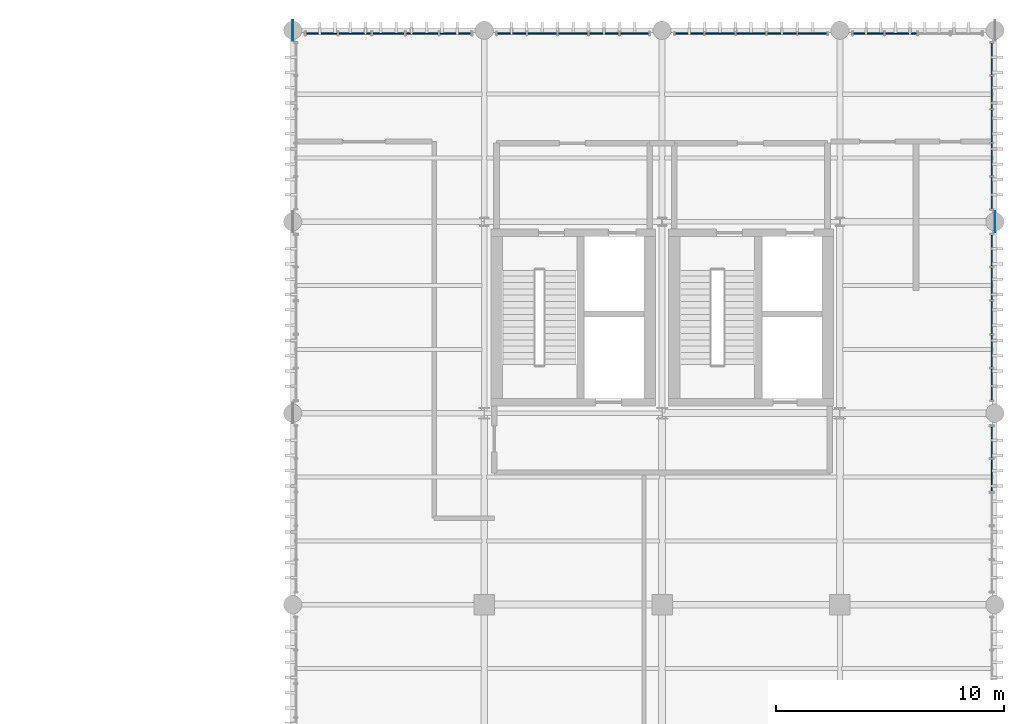
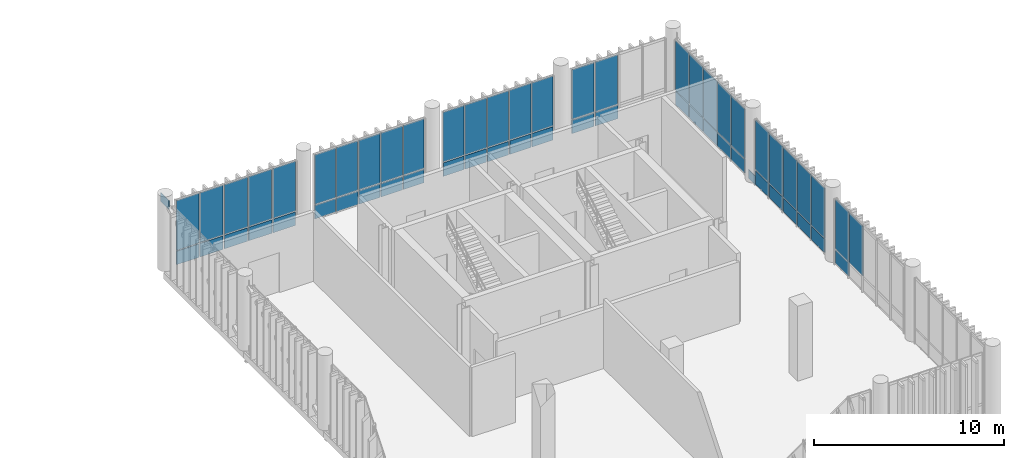
# One storey, part 87 of 109: 59 plates, 7 elements without a shape of their own.
"""IFC4 building model written with IfcOpenShell, lengths in metres."""

import ifcopenshell
import ifcopenshell.guid

model = None  # the IFC model being written
_history = None  # IfcOwnerHistory: only IFC2X3 demands one
_inside = {}  # id of a spatial element -> (the spatial element, [elements in it])
_under = {}  # id of a project, library or spatial element -> (it, [spatial elements below it])
_declared = {}  # id of a project -> (the project, [libraries it declares])
_typed = {}  # id of a type object -> (the type object, [elements of that type])
_made_of = {}  # id of a material, layer set ... -> (it, [elements and type objects made of it])


def new_model(schema):
    """Start an empty IFC model of exactly this schema.

    Asked for "IFC4X3", IfcOpenShell would pick the latest addendum, in which some entities
    have other attributes; the version numbers below select the first issue.
    IFC2X3 requires an IfcOwnerHistory on every rooted entity: one is made here for all.
    """
    global model, _history
    if schema == "IFC4X3":
        model = ifcopenshell.file(schema_version=(4, 3, 0, 0))
    else:
        model = ifcopenshell.file(schema=schema)
    _inside.clear()
    _under.clear()
    _declared.clear()
    _typed.clear()
    _made_of.clear()
    _history = None
    if model.schema == "IFC2X3":
        org = make("IfcOrganization", Name="unknown")
        user = make(
            "IfcPersonAndOrganization",
            ThePerson=make("IfcPerson", FamilyName="unknown"),
            TheOrganization=org,
        )
        app = make(
            "IfcApplication",
            ApplicationDeveloper=org,
            Version="unknown",
            ApplicationFullName="unknown",
            ApplicationIdentifier="unknown",
        )
        _history = make(
            "IfcOwnerHistory",
            OwningUser=user,
            OwningApplication=app,
            ChangeAction="ADDED",
            CreationDate=0,
        )
    return model


def make(cls, **values):
    """One entity of the class cls with the attributes given. An attribute that is None is left unset."""
    return model.create_entity(
        cls, **{name: value for name, value in values.items() if value is not None}
    )


def rooted(cls, **values):
    """An entity with a GlobalId (a new one), such as an element, a storey or a relation."""
    return make(cls, GlobalId=ifcopenshell.guid.new(), OwnerHistory=_history, **values)


def si_unit(unit_type, name, prefix=None):
    """IfcSIUnit, for example si_unit("LENGTHUNIT", "METRE", prefix="MILLI")."""
    return make("IfcSIUnit", UnitType=unit_type, Prefix=prefix, Name=name)


def assignment(units):
    """IfcUnitAssignment: the units of a project."""
    return None if units is None else make("IfcUnitAssignment", Units=units)


def point(xyz):
    """IfcCartesianPoint."""
    return None if xyz is None else make("IfcCartesianPoint", Coordinates=xyz)


def direction(xyz):
    """IfcDirection."""
    return None if xyz is None else make("IfcDirection", DirectionRatios=xyz)


def frame(location, z_axis=None, x_axis=None):
    """IfcAxis2Placement3D, a coordinate frame: its origin and axes. An axis left out is left unset."""
    return make(
        "IfcAxis2Placement3D",
        Location=point(location),
        Axis=direction(z_axis),
        RefDirection=direction(x_axis),
    )


def frame_2d(location, x_axis=None):
    """IfcAxis2Placement2D, a coordinate frame in the plane: its origin and x axis."""
    return make(
        "IfcAxis2Placement2D", Location=point(location), RefDirection=direction(x_axis)
    )


def origin_with_axes():
    """The frame at (0, 0, 0) with the z axis (0, 0, 1) and the x axis (1, 0, 0) written out."""
    return frame((0.0, 0.0, 0.0), z_axis=(0.0, 0.0, 1.0), x_axis=(1.0, 0.0, 0.0))


def origin_2d_with_axis():
    """The frame at (0, 0) in the plane with the x axis (1, 0) written out."""
    return frame_2d((0.0, 0.0), x_axis=(1.0, 0.0))


def place(relative_to, where):
    """IfcLocalPlacement: puts the frame where relative to a parent placement (None: the world)."""
    return make(
        "IfcLocalPlacement", PlacementRelTo=relative_to, RelativePlacement=where
    )


def context(
    kind, dimensions, precision=None, world=None, true_north=None, identifier=None
):
    """IfcGeometricRepresentationContext, for example the 3D "Model" context."""
    return make(
        "IfcGeometricRepresentationContext",
        ContextIdentifier=identifier,
        ContextType=kind,
        CoordinateSpaceDimension=dimensions,
        Precision=precision,
        WorldCoordinateSystem=world,
        TrueNorth=true_north,
    )


def subcontext(parent, identifier, kind, view, scale=None):
    """IfcGeometricRepresentationSubContext, for example "Body" below "Model"."""
    return make(
        "IfcGeometricRepresentationSubContext",
        ContextIdentifier=identifier,
        ContextType=kind,
        ParentContext=parent,
        TargetScale=scale,
        TargetView=view,
    )


def project(units=None, contexts=None):
    """IfcProject with its units and contexts."""
    return rooted(
        "IfcProject",
        Name="project",
        RepresentationContexts=contexts,
        UnitsInContext=assignment(units),
    )


def spatial(cls, under=None, at=None, **own):
    """A site, building, storey or space (cls), placed at a placement, below another one or the project."""
    s = rooted(cls, ObjectPlacement=at, **own)
    if under is not None:
        _under.setdefault(under.id(), (under, []))[1].append(s)
    return s


def profile(cls, at=None, kind="AREA", **sizes):
    """A parametric profile (cls). Its sizes go by their IFC names, for example OverallWidth=200.0."""
    return make(cls, ProfileType=kind, Position=at, **sizes)


def rectangle(**sizes):
    """IfcRectangleProfileDef."""
    return profile("IfcRectangleProfileDef", **sizes)


def extrude(swept, where, along, depth):
    """IfcExtrudedAreaSolid: the profile swept, set in the frame where, extruded along a direction by depth."""
    return make(
        "IfcExtrudedAreaSolid",
        SweptArea=swept,
        Position=where,
        ExtrudedDirection=direction(along),
        Depth=depth,
    )


def shape(context_of_items, identifier, shape_type, items):
    """IfcShapeRepresentation: the items that make up one representation, for example the "Body"."""
    return make(
        "IfcShapeRepresentation",
        ContextOfItems=context_of_items,
        RepresentationIdentifier=identifier,
        RepresentationType=shape_type,
        Items=items,
    )


def material(Name=None, Category=None):
    """IfcMaterial."""
    return make("IfcMaterial", Name=Name, Category=Category)


def layer(
    of_material, thickness, ventilated=None, Name=None, Category=None, Priority=None
):
    """IfcMaterialLayer: one layer of a wall or slab, of a material (None: an air gap)."""
    return make(
        "IfcMaterialLayer",
        Material=of_material,
        LayerThickness=thickness,
        IsVentilated=ventilated,
        Name=Name,
        Category=Category,
        Priority=Priority,
    )


def layer_set(layers, Name=None):
    """IfcMaterialLayerSet."""
    return make("IfcMaterialLayerSet", MaterialLayers=layers, LayerSetName=Name)


def made_of(thing, what):
    """Note that an element or type object is made of a material, layer set ...; save() writes the relation."""
    if what is not None:
        _made_of.setdefault(what.id(), (what, []))[1].append(thing)
    return thing


def type_object(cls, material=None, **own):
    """A type object (cls), such as IfcWallType, which elements share."""
    return made_of(rooted(cls, **own), material)


def element(
    cls,
    number,
    at=None,
    inside=None,
    cuts=None,
    type_object=None,
    material=None,
    context=None,
    identifier="Body",
    shape_type=None,
    held_by="IfcProductDefinitionShape",
    body=None,
    shapes=None,
    **own,
):
    """One element of the class cls, such as IfcWall. Its Tag is "e" and its number.

    at: its placement. inside: the storey or other place that contains it. cuts: it is an
    opening in that element (IfcRelVoidsElement). A single representation is given by context,
    identifier, shape_type and body (its items); several are given by shapes. held_by: the class
    of the entity that holds the representations. save() writes the other relations.
    """
    e = rooted(cls, Tag="e%d" % number, ObjectPlacement=at, **own)
    if body is not None:
        shapes = [shape(context, identifier, shape_type, body)]
    if shapes is not None:
        e.Representation = make(held_by, Representations=shapes)
    if inside is not None:
        _inside.setdefault(inside.id(), (inside, []))[1].append(e)
    if cuts is not None:
        rooted(
            "IfcRelVoidsElement", RelatingBuildingElement=cuts, RelatedOpeningElement=e
        )
    if type_object is not None:
        _typed.setdefault(type_object.id(), (type_object, []))[1].append(e)
    return made_of(e, material)


def aggregate(whole, parts):
    """IfcRelAggregates: a whole, such as a stair, and the parts it consists of."""
    return rooted("IfcRelAggregates", RelatingObject=whole, RelatedObjects=parts)


def save(model, path):
    """Write the relations noted so far, then the file.

    IfcRelAggregates (storeys below a building ...), IfcRelContainedInSpatialStructure (elements
    in a storey), IfcRelDefinesByType, IfcRelAssociatesMaterial and IfcRelDeclares: one each for
    every whole, place, type object, material and project.
    """
    for whole, parts in _under.values():
        aggregate(whole, parts)
    for where, things in _inside.values():
        rooted(
            "IfcRelContainedInSpatialStructure",
            RelatedElements=things,
            RelatingStructure=where,
        )
    for kind, things in _typed.values():
        rooted("IfcRelDefinesByType", RelatedObjects=things, RelatingType=kind)
    for what, things in _made_of.values():
        rooted("IfcRelAssociatesMaterial", RelatedObjects=things, RelatingMaterial=what)
    for by, libraries in _declared.values():
        rooted("IfcRelDeclares", RelatingContext=by, RelatedDefinitions=libraries)
    model.write(path)


model = new_model("IFC4")

# Units and contexts
model_context = context("Model", 3, precision=1e-05, world=origin_with_axes(), true_north=direction((0.0, 1.0)))
body_context = subcontext(model_context, "Body", "Model", "MODEL_VIEW")
ifc_project = project(units=[si_unit("LENGTHUNIT", "METRE"), si_unit("AREAUNIT", "SQUARE_METRE"), si_unit("VOLUMEUNIT", "CUBIC_METRE"), si_unit("PLANEANGLEUNIT", "RADIAN"), si_unit("MASSUNIT", "GRAM", prefix="KILO"), si_unit("THERMODYNAMICTEMPERATUREUNIT", "KELVIN")], contexts=[model_context])

# Site, building, storey
site_placement = place(None, origin_with_axes())
site = spatial("IfcSite", under=ifc_project, at=site_placement, CompositionType="ELEMENT")
building_placement = place(site_placement, origin_with_axes())
building = spatial("IfcBuilding", under=site, at=building_placement, Name="Montbau Bow Law Courts", CompositionType="ELEMENT")
storey_placement = place(building_placement, frame((0.0, 0.0, 10.8), z_axis=(0.0, 0.0, 1.0), x_axis=(1.0, 0.0, 0.0)))
storey = spatial("IfcBuildingStorey", under=building, at=storey_placement, Name="L02", CompositionType="ELEMENT", Elevation=10.8)

# Curtain wall, plates
ifc_material_1 = material(Name="Thermally Broken Extruded Aluminium AA 6063-T6", Category="aluminium")
curtain_wall_type = type_object("IfcCurtainWallType", Name="CW-SLT-01", PredefinedType="NOTDEFINED", material=ifc_material_1)
curtain_wall_1_placement = place(None, frame((139.115, 103.06, 10.8), z_axis=(0.0, 0.0, 1.0), x_axis=(1.0, 0.0, 0.0)))
curtain_wall_1 = element("IfcCurtainWall", 1, at=curtain_wall_1_placement, inside=storey, type_object=curtain_wall_type, Name="CW-L02-297:cw_0297", PredefinedType="NOTDEFINED")
ifc_material_2 = material(Name="Triple-Glazed Low-E Argon Insulating Glass Unit", Category="glass")
ifc_layer_1 = layer(ifc_material_2, 0.044, Name="Curtain Panel", Category="glass")
ifc_layer_set_1 = layer_set([ifc_layer_1], Name="Triple-Glazed Low-E Argon Insulating Glass Unit")
plate_type_1 = type_object("IfcPlateType", Name="PL-CWP-01", PredefinedType="CURTAIN_PANEL", material=ifc_layer_set_1)
plate_1_placement = place(None, frame((139.191, 103.06, 11.78), z_axis=(0.0, -1.0, 0.0), x_axis=(1.0, 0.0, 0.0)))
plate_1 = element("IfcPlate", 2, at=plate_1_placement, type_object=plate_type_1, Name="CW-L02-297-P01-2:cw_0297_P01_2", PredefinedType="CURTAIN_PANEL", context=body_context, shape_type="SweptSolid", body=[
    extrude(rectangle(XDim=1.358, YDim=3.183, at=frame_2d((0.679, 1.5915), x_axis=(1.0, 0.0))), frame((0.0, 0.0, -0.022), z_axis=(0.0, 0.0, 1.0), x_axis=(1.0, 0.0, 0.0)), (0.0, 0.0, 1.0), 0.044),
])
plate_2_placement = place(None, frame((140.629, 103.06, 11.78), z_axis=(0.0, -1.0, 0.0), x_axis=(1.0, 0.0, 0.0)))
plate_2 = element("IfcPlate", 3, at=plate_2_placement, type_object=plate_type_1, Name="CW-L02-297-P02-2:cw_0297_P02_2", PredefinedType="CURTAIN_PANEL", context=body_context, shape_type="SweptSolid", body=[
    extrude(rectangle(XDim=1.395, YDim=3.183, at=frame_2d((0.6975, 1.5915), x_axis=(1.0, 0.0))), frame((0.0, 0.0, -0.022), z_axis=(0.0, 0.0, 1.0), x_axis=(1.0, 0.0, 0.0)), (0.0, 0.0, 1.0), 0.044),
])
plate_3_placement = place(None, frame((142.102, 103.06, 11.78), z_axis=(0.0, -1.0, 0.0), x_axis=(1.0, 0.0, 0.0)))
plate_3 = element("IfcPlate", 4, at=plate_3_placement, type_object=plate_type_1, Name="CW-L02-297-P03-2:cw_0297_P03_2", PredefinedType="CURTAIN_PANEL", context=body_context, shape_type="SweptSolid", body=[
    extrude(rectangle(XDim=1.396, YDim=3.183, at=frame_2d((0.698, 1.5915), x_axis=(1.0, 0.0))), frame((0.0, 0.0, -0.022), z_axis=(0.0, 0.0, 1.0), x_axis=(1.0, 0.0, 0.0)), (0.0, 0.0, 1.0), 0.044),
])
plate_4_placement = place(None, frame((143.576, 103.06, 11.78), z_axis=(0.0, -1.0, 0.0), x_axis=(1.0, 0.0, 0.0)))
plate_4 = element("IfcPlate", 5, at=plate_4_placement, type_object=plate_type_1, Name="CW-L02-297-P04-2:cw_0297_P04_2", PredefinedType="CURTAIN_PANEL", context=body_context, shape_type="SweptSolid", body=[
    extrude(rectangle(XDim=1.396, YDim=3.183, at=frame_2d((0.698, 1.5915), x_axis=(1.0, 0.0))), frame((0.0, 0.0, -0.022), z_axis=(0.0, 0.0, 1.0), x_axis=(1.0, 0.0, 0.0)), (0.0, 0.0, 1.0), 0.044),
])
plate_5_placement = place(None, frame((145.05, 103.06, 11.78), z_axis=(0.0, -1.0, 0.0), x_axis=(1.0, 0.0, 0.0)))
plate_5 = element("IfcPlate", 6, at=plate_5_placement, type_object=plate_type_1, Name="CW-L02-297-P05-2:cw_0297_P05_2", PredefinedType="CURTAIN_PANEL", context=body_context, shape_type="SweptSolid", body=[
    extrude(rectangle(XDim=1.359, YDim=3.183, at=frame_2d((0.6795, 1.5915), x_axis=(1.0, 0.0))), frame((0.0, 0.0, -0.022), z_axis=(0.0, 0.0, 1.0), x_axis=(1.0, 0.0, 0.0)), (0.0, 0.0, 1.0), 0.044),
])

curtain_wall_2_placement = place(None, frame((147.515, 103.06, 10.8), z_axis=(0.0, 0.0, 1.0), x_axis=(1.0, 0.0, 0.0)))
curtain_wall_2 = element("IfcCurtainWall", 7, at=curtain_wall_2_placement, inside=storey, type_object=curtain_wall_type, Name="CW-L02-298:cw_0298", PredefinedType="NOTDEFINED")
plate_6_placement = place(None, frame((147.583, 103.06, 11.782), z_axis=(0.0, -1.0, 0.0), x_axis=(1.0, 0.0, 0.0)))
plate_6 = element("IfcPlate", 8, at=plate_6_placement, type_object=plate_type_1, Name="CW-L02-298-P01-2:cw_0298_P01_2", PredefinedType="CURTAIN_PANEL", context=body_context, shape_type="SweptSolid", body=[
    extrude(rectangle(XDim=1.252, YDim=3.176, at=frame_2d((0.626, 1.588), x_axis=(1.0, 0.0))), frame((0.0, 0.0, -0.022), z_axis=(0.0, 0.0, 1.0), x_axis=(1.0, 0.0, 0.0)), (0.0, 0.0, 1.0), 0.044),
])
plate_7_placement = place(None, frame((148.904, 103.06, 11.782), z_axis=(0.0, -1.0, 0.0), x_axis=(1.0, 0.0, 0.0)))
plate_7 = element("IfcPlate", 9, at=plate_7_placement, type_object=plate_type_1, Name="CW-L02-298-P02-2:cw_0298_P02_2", PredefinedType="CURTAIN_PANEL", context=body_context, shape_type="SweptSolid", body=[
    extrude(rectangle(XDim=1.285, YDim=3.176, at=frame_2d((0.6425, 1.588), x_axis=(1.0, 0.0))), frame((0.0, 0.0, -0.022), z_axis=(0.0, 0.0, 1.0), x_axis=(1.0, 0.0, 0.0)), (0.0, 0.0, 1.0), 0.044),
])
plate_8_placement = place(None, frame((150.258, 103.06, 11.782), z_axis=(0.0, -1.0, 0.0), x_axis=(1.0, 0.0, 0.0)))
plate_8 = element("IfcPlate", 10, at=plate_8_placement, type_object=plate_type_1, Name="CW-L02-298-P03-2:cw_0298_P03_2", PredefinedType="CURTAIN_PANEL", context=body_context, shape_type="SweptSolid", body=[
    extrude(rectangle(XDim=1.285, YDim=3.176, at=frame_2d((0.6425, 1.588), x_axis=(1.0, 0.0))), frame((0.0, 0.0, -0.022), z_axis=(0.0, 0.0, 1.0), x_axis=(1.0, 0.0, 0.0)), (0.0, 0.0, 1.0), 0.044),
])
plate_9_placement = place(None, frame((151.611, 103.06, 11.782), z_axis=(0.0, -1.0, 0.0), x_axis=(1.0, 0.0, 0.0)))
plate_9 = element("IfcPlate", 11, at=plate_9_placement, type_object=plate_type_1, Name="CW-L02-298-P04-2:cw_0298_P04_2", PredefinedType="CURTAIN_PANEL", context=body_context, shape_type="SweptSolid", body=[
    extrude(rectangle(XDim=1.286, YDim=3.176, at=frame_2d((0.643, 1.588), x_axis=(1.0, 0.0))), frame((0.0, 0.0, -0.022), z_axis=(0.0, 0.0, 1.0), x_axis=(1.0, 0.0, 0.0)), (0.0, 0.0, 1.0), 0.044),
])
plate_10_placement = place(None, frame((152.965, 103.06, 11.782), z_axis=(0.0, -1.0, 0.0), x_axis=(1.0, 0.0, 0.0)))
plate_10 = element("IfcPlate", 12, at=plate_10_placement, type_object=plate_type_1, Name="CW-L02-298-P05-2:cw_0298_P05_2", PredefinedType="CURTAIN_PANEL", context=body_context, shape_type="SweptSolid", body=[
    extrude(rectangle(XDim=1.254, YDim=3.176, at=frame_2d((0.627, 1.588), x_axis=(1.0, 0.0))), frame((0.0, 0.0, -0.022), z_axis=(0.0, 0.0, 1.0), x_axis=(1.0, 0.0, 0.0)), (0.0, 0.0, 1.0), 0.044),
])

curtain_wall_3_placement = place(None, frame((155.315, 103.06, 10.8), z_axis=(0.0, 0.0, 1.0), x_axis=(1.0, 0.0, 0.0)))
curtain_wall_3 = element("IfcCurtainWall", 13, at=curtain_wall_3_placement, inside=storey, type_object=curtain_wall_type, Name="CW-L02-299:cw_0299", PredefinedType="NOTDEFINED")
plate_11_placement = place(None, frame((155.377, 103.06, 11.78), z_axis=(0.0, -1.0, 0.0), x_axis=(1.0, 0.0, 0.0)))
plate_11 = element("IfcPlate", 14, at=plate_11_placement, type_object=plate_type_1, Name="CW-L02-299-P01-2:cw_0299_P01_2", PredefinedType="CURTAIN_PANEL", context=body_context, shape_type="SweptSolid", body=[
    extrude(rectangle(XDim=1.26, YDim=3.183, at=frame_2d((0.63, 1.5915), x_axis=(1.0, 0.0))), frame((0.0, 0.0, -0.022), z_axis=(0.0, 0.0, 1.0), x_axis=(1.0, 0.0, 0.0)), (0.0, 0.0, 1.0), 0.044),
])
plate_12_placement = place(None, frame((156.701, 103.06, 11.78), z_axis=(0.0, -1.0, 0.0), x_axis=(1.0, 0.0, 0.0)))
plate_12 = element("IfcPlate", 15, at=plate_12_placement, type_object=plate_type_1, Name="CW-L02-299-P02-2:cw_0299_P02_2", PredefinedType="CURTAIN_PANEL", context=body_context, shape_type="SweptSolid", body=[
    extrude(rectangle(XDim=1.29, YDim=3.183, at=frame_2d((0.645, 1.5915), x_axis=(1.0, 0.0))), frame((0.0, 0.0, -0.022), z_axis=(0.0, 0.0, 1.0), x_axis=(1.0, 0.0, 0.0)), (0.0, 0.0, 1.0), 0.044),
])
plate_13_placement = place(None, frame((158.055, 103.06, 11.78), z_axis=(0.0, -1.0, 0.0), x_axis=(1.0, 0.0, 0.0)))
plate_13 = element("IfcPlate", 16, at=plate_13_placement, type_object=plate_type_1, Name="CW-L02-299-P03-2:cw_0299_P03_2", PredefinedType="CURTAIN_PANEL", context=body_context, shape_type="SweptSolid", body=[
    extrude(rectangle(XDim=1.29, YDim=3.183, at=frame_2d((0.645, 1.5915), x_axis=(1.0, 0.0))), frame((0.0, 0.0, -0.022), z_axis=(0.0, 0.0, 1.0), x_axis=(1.0, 0.0, 0.0)), (0.0, 0.0, 1.0), 0.044),
])
plate_14_placement = place(None, frame((159.409, 103.06, 11.78), z_axis=(0.0, -1.0, 0.0), x_axis=(1.0, 0.0, 0.0)))
plate_14 = element("IfcPlate", 17, at=plate_14_placement, type_object=plate_type_1, Name="CW-L02-299-P04-2:cw_0299_P04_2", PredefinedType="CURTAIN_PANEL", context=body_context, shape_type="SweptSolid", body=[
    extrude(rectangle(XDim=1.29, YDim=3.183, at=frame_2d((0.645, 1.5915), x_axis=(1.0, 0.0))), frame((0.0, 0.0, -0.022), z_axis=(0.0, 0.0, 1.0), x_axis=(1.0, 0.0, 0.0)), (0.0, 0.0, 1.0), 0.044),
])
plate_15_placement = place(None, frame((160.763, 103.06, 11.78), z_axis=(0.0, -1.0, 0.0), x_axis=(1.0, 0.0, 0.0)))
plate_15 = element("IfcPlate", 18, at=plate_15_placement, type_object=plate_type_1, Name="CW-L02-299-P05-2:cw_0299_P05_2", PredefinedType="CURTAIN_PANEL", context=body_context, shape_type="SweptSolid", body=[
    extrude(rectangle(XDim=1.26, YDim=3.183, at=frame_2d((0.63, 1.5915), x_axis=(1.0, 0.0))), frame((0.0, 0.0, -0.022), z_axis=(0.0, 0.0, 1.0), x_axis=(1.0, 0.0, 0.0)), (0.0, 0.0, 1.0), 0.044),
])

curtain_wall_4_placement = place(None, frame((163.115, 103.06, 10.8), z_axis=(0.0, 0.0, 1.0), x_axis=(1.0, 0.0, 0.0)))
curtain_wall_4 = element("IfcCurtainWall", 19, at=curtain_wall_4_placement, inside=storey, type_object=curtain_wall_type, Name="CW-L02-300:cw_0300", PredefinedType="NOTDEFINED")
plate_16_placement = place(None, frame((163.191, 103.06, 11.782), z_axis=(0.0, -1.0, 0.0), x_axis=(1.0, 0.0, 0.0)))
plate_16 = element("IfcPlate", 20, at=plate_16_placement, type_object=plate_type_1, Name="CW-L02-300-P01-2:cw_0300_P01_2", PredefinedType="CURTAIN_PANEL", context=body_context, shape_type="SweptSolid", body=[
    extrude(rectangle(XDim=1.326, YDim=3.176, at=frame_2d((0.663, 1.588), x_axis=(1.0, 0.0))), frame((0.0, 0.0, -0.022), z_axis=(0.0, 0.0, 1.0), x_axis=(1.0, 0.0, 0.0)), (0.0, 0.0, 1.0), 0.044),
])
plate_17_placement = place(None, frame((164.597, 103.06, 11.782), z_axis=(0.0, -1.0, 0.0), x_axis=(1.0, 0.0, 0.0)))
plate_17 = element("IfcPlate", 21, at=plate_17_placement, type_object=plate_type_1, Name="CW-L02-300-P02-2:cw_0300_P02_2", PredefinedType="CURTAIN_PANEL", context=body_context, shape_type="SweptSolid", body=[
    extrude(rectangle(XDim=1.363, YDim=3.176, at=frame_2d((0.6815, 1.588), x_axis=(1.0, 0.0))), frame((0.0, 0.0, -0.022), z_axis=(0.0, 0.0, 1.0), x_axis=(1.0, 0.0, 0.0)), (0.0, 0.0, 1.0), 0.044),
])

curtain_wall_5_placement = place(None, frame((169.26, 78.515, 10.8), z_axis=(0.0, 0.0, 1.0), x_axis=(1.0, 0.0, 0.0)))
curtain_wall_5 = element("IfcCurtainWall", 22, at=curtain_wall_5_placement, inside=storey, type_object=curtain_wall_type, Name="CW-L02-306:cw_0306", PredefinedType="NOTDEFINED")
plate_18_placement = place(None, frame((169.26, 82.976, 11.782), z_axis=(1.0, 0.0, 0.0), x_axis=(0.0, 1.0, 0.0)))
plate_18 = element("IfcPlate", 23, at=plate_18_placement, type_object=plate_type_1, Name="CW-L02-306-P04-2:cw_0306_P04_2", PredefinedType="CURTAIN_PANEL", context=body_context, shape_type="SweptSolid", body=[
    extrude(rectangle(XDim=1.396, YDim=3.176, at=frame_2d((0.698, 1.588), x_axis=(1.0, 0.0))), frame((0.0, 0.0, -0.022), z_axis=(0.0, 0.0, 1.0), x_axis=(1.0, 0.0, 0.0)), (0.0, 0.0, 1.0), 0.044),
])
plate_19_placement = place(None, frame((169.26, 84.45, 11.782), z_axis=(1.0, 0.0, 0.0), x_axis=(0.0, 1.0, 0.0)))
plate_19 = element("IfcPlate", 24, at=plate_19_placement, type_object=plate_type_1, Name="CW-L02-306-P05-2:cw_0306_P05_2", PredefinedType="CURTAIN_PANEL", context=body_context, shape_type="SweptSolid", body=[
    extrude(rectangle(XDim=1.359, YDim=3.176, at=frame_2d((0.6795, 1.588), x_axis=(1.0, 0.0))), frame((0.0, 0.0, -0.022), z_axis=(0.0, 0.0, 1.0), x_axis=(1.0, 0.0, 0.0)), (0.0, 0.0, 1.0), 0.044),
])

curtain_wall_6_placement = place(None, frame((169.26, 86.915, 10.8), z_axis=(0.0, 0.0, 1.0), x_axis=(1.0, 0.0, 0.0)))
curtain_wall_6 = element("IfcCurtainWall", 25, at=curtain_wall_6_placement, inside=storey, type_object=curtain_wall_type, Name="CW-L02-307:cw_0307", PredefinedType="NOTDEFINED")
plate_20_placement = place(None, frame((169.26, 86.983, 11.78), z_axis=(1.0, 0.0, 0.0), x_axis=(0.0, 1.0, 0.0)))
plate_20 = element("IfcPlate", 26, at=plate_20_placement, type_object=plate_type_1, Name="CW-L02-307-P01-2:cw_0307_P01_2", PredefinedType="CURTAIN_PANEL", context=body_context, shape_type="SweptSolid", body=[
    extrude(rectangle(XDim=1.372, YDim=3.183, at=frame_2d((0.686, 1.5915), x_axis=(1.0, 0.0))), frame((0.0, 0.0, -0.022), z_axis=(0.0, 0.0, 1.0), x_axis=(1.0, 0.0, 0.0)), (0.0, 0.0, 1.0), 0.044),
])
plate_21_placement = place(None, frame((169.26, 88.423, 11.78), z_axis=(1.0, 0.0, 0.0), x_axis=(0.0, 1.0, 0.0)))
plate_21 = element("IfcPlate", 27, at=plate_21_placement, type_object=plate_type_1, Name="CW-L02-307-P02-2:cw_0307_P02_2", PredefinedType="CURTAIN_PANEL", context=body_context, shape_type="SweptSolid", body=[
    extrude(rectangle(XDim=1.405, YDim=3.183, at=frame_2d((0.7025, 1.5915), x_axis=(1.0, 0.0))), frame((0.0, 0.0, -0.022), z_axis=(0.0, 0.0, 1.0), x_axis=(1.0, 0.0, 0.0)), (0.0, 0.0, 1.0), 0.044),
])
plate_22_placement = place(None, frame((169.26, 89.897, 11.78), z_axis=(1.0, 0.0, 0.0), x_axis=(0.0, 1.0, 0.0)))
plate_22 = element("IfcPlate", 28, at=plate_22_placement, type_object=plate_type_1, Name="CW-L02-307-P03-2:cw_0307_P03_2", PredefinedType="CURTAIN_PANEL", context=body_context, shape_type="SweptSolid", body=[
    extrude(rectangle(XDim=1.406, YDim=3.183, at=frame_2d((0.703, 1.5915), x_axis=(1.0, 0.0))), frame((0.0, 0.0, -0.022), z_axis=(0.0, 0.0, 1.0), x_axis=(1.0, 0.0, 0.0)), (0.0, 0.0, 1.0), 0.044),
])
plate_23_placement = place(None, frame((169.26, 91.371, 11.78), z_axis=(1.0, 0.0, 0.0), x_axis=(0.0, 1.0, 0.0)))
plate_23 = element("IfcPlate", 29, at=plate_23_placement, type_object=plate_type_1, Name="CW-L02-307-P04-2:cw_0307_P04_2", PredefinedType="CURTAIN_PANEL", context=body_context, shape_type="SweptSolid", body=[
    extrude(rectangle(XDim=1.406, YDim=3.183, at=frame_2d((0.703, 1.5915), x_axis=(1.0, 0.0))), frame((0.0, 0.0, -0.022), z_axis=(0.0, 0.0, 1.0), x_axis=(1.0, 0.0, 0.0)), (0.0, 0.0, 1.0), 0.044),
])
plate_24_placement = place(None, frame((169.26, 92.845, 11.78), z_axis=(1.0, 0.0, 0.0), x_axis=(0.0, 1.0, 0.0)))
plate_24 = element("IfcPlate", 30, at=plate_24_placement, type_object=plate_type_1, Name="CW-L02-307-P05-2:cw_0307_P05_2", PredefinedType="CURTAIN_PANEL", context=body_context, shape_type="SweptSolid", body=[
    extrude(rectangle(XDim=1.373, YDim=3.183, at=frame_2d((0.6865, 1.5915), x_axis=(1.0, 0.0))), frame((0.0, 0.0, -0.022), z_axis=(0.0, 0.0, 1.0), x_axis=(1.0, 0.0, 0.0)), (0.0, 0.0, 1.0), 0.044),
])

curtain_wall_7_placement = place(None, frame((169.26, 95.315, 10.8), z_axis=(0.0, 0.0, 1.0), x_axis=(1.0, 0.0, 0.0)))
curtain_wall_7 = element("IfcCurtainWall", 31, at=curtain_wall_7_placement, inside=storey, type_object=curtain_wall_type, Name="CW-L02-308:cw_0308", PredefinedType="NOTDEFINED")
plate_25_placement = place(None, frame((169.26, 95.377, 11.782), z_axis=(1.0, 0.0, 0.0), x_axis=(0.0, 1.0, 0.0)))
plate_25 = element("IfcPlate", 32, at=plate_25_placement, type_object=plate_type_1, Name="CW-L02-308-P01-2:cw_0308_P01_2", PredefinedType="CURTAIN_PANEL", context=body_context, shape_type="SweptSolid", body=[
    extrude(rectangle(XDim=1.38, YDim=3.176, at=frame_2d((0.69, 1.588), x_axis=(1.0, 0.0))), frame((0.0, 0.0, -0.022), z_axis=(0.0, 0.0, 1.0), x_axis=(1.0, 0.0, 0.0)), (0.0, 0.0, 1.0), 0.044),
])
plate_26_placement = place(None, frame((169.26, 96.821, 11.782), z_axis=(1.0, 0.0, 0.0), x_axis=(0.0, 1.0, 0.0)))
plate_26 = element("IfcPlate", 33, at=plate_26_placement, type_object=plate_type_1, Name="CW-L02-308-P02-2:cw_0308_P02_2", PredefinedType="CURTAIN_PANEL", context=body_context, shape_type="SweptSolid", body=[
    extrude(rectangle(XDim=1.41, YDim=3.176, at=frame_2d((0.705, 1.588), x_axis=(1.0, 0.0))), frame((0.0, 0.0, -0.022), z_axis=(0.0, 0.0, 1.0), x_axis=(1.0, 0.0, 0.0)), (0.0, 0.0, 1.0), 0.044),
])
plate_27_placement = place(None, frame((169.26, 98.295, 11.782), z_axis=(1.0, 0.0, 0.0), x_axis=(0.0, 1.0, 0.0)))
plate_27 = element("IfcPlate", 34, at=plate_27_placement, type_object=plate_type_1, Name="CW-L02-308-P03-2:cw_0308_P03_2", PredefinedType="CURTAIN_PANEL", context=body_context, shape_type="SweptSolid", body=[
    extrude(rectangle(XDim=1.41, YDim=3.176, at=frame_2d((0.705, 1.588), x_axis=(1.0, 0.0))), frame((0.0, 0.0, -0.022), z_axis=(0.0, 0.0, 1.0), x_axis=(1.0, 0.0, 0.0)), (0.0, 0.0, 1.0), 0.044),
])
plate_28_placement = place(None, frame((169.26, 99.769, 11.782), z_axis=(1.0, 0.0, 0.0), x_axis=(0.0, 1.0, 0.0)))
plate_28 = element("IfcPlate", 35, at=plate_28_placement, type_object=plate_type_1, Name="CW-L02-308-P04-2:cw_0308_P04_2", PredefinedType="CURTAIN_PANEL", context=body_context, shape_type="SweptSolid", body=[
    extrude(rectangle(XDim=1.41, YDim=3.176, at=frame_2d((0.705, 1.588), x_axis=(1.0, 0.0))), frame((0.0, 0.0, -0.022), z_axis=(0.0, 0.0, 1.0), x_axis=(1.0, 0.0, 0.0)), (0.0, 0.0, 1.0), 0.044),
])
plate_29_placement = place(None, frame((169.26, 101.243, 11.782), z_axis=(1.0, 0.0, 0.0), x_axis=(0.0, 1.0, 0.0)))
plate_29 = element("IfcPlate", 36, at=plate_29_placement, type_object=plate_type_1, Name="CW-L02-308-P05-2:cw_0308_P05_2", PredefinedType="CURTAIN_PANEL", context=body_context, shape_type="SweptSolid", body=[
    extrude(rectangle(XDim=1.38, YDim=3.176, at=frame_2d((0.69, 1.588), x_axis=(1.0, 0.0))), frame((0.0, 0.0, -0.022), z_axis=(0.0, 0.0, 1.0), x_axis=(1.0, 0.0, 0.0)), (0.0, 0.0, 1.0), 0.044),
])

# Plate
ifc_material_3 = material(Name="Insulated Ceramic-Frit Spandrel Glazing Unit", Category="glass")
ifc_layer_2 = layer(ifc_material_3, 0.056, Name="Curtain Panel", Category="glass")
ifc_layer_set_2 = layer_set([ifc_layer_2], Name="Insulated Ceramic-Frit Spandrel Glazing Unit")
plate_type_2 = type_object("IfcPlateType", Name="PL-CWP-02", PredefinedType="CURTAIN_PANEL", material=ifc_layer_set_2)
plate_30_placement = place(None, frame((139.191, 103.06, 10.857), z_axis=(0.0, -1.0, 0.0), x_axis=(1.0, 0.0, 0.0)))
plate_30 = element("IfcPlate", 37, at=plate_30_placement, type_object=plate_type_2, Name="CW-L02-297-P01-1:cw_0297_P01_1", PredefinedType="CURTAIN_PANEL", context=body_context, shape_type="SweptSolid", body=[
    extrude(rectangle(XDim=1.358, YDim=0.863, at=frame_2d((0.679, 0.4315), x_axis=(1.0, 0.0))), frame((0.0, 0.0, -0.028), z_axis=(0.0, 0.0, 1.0), x_axis=(1.0, 0.0, 0.0)), (0.0, 0.0, 1.0), 0.056),
])

plate_31_placement = place(None, frame((140.629, 103.06, 10.857), z_axis=(0.0, -1.0, 0.0), x_axis=(1.0, 0.0, 0.0)))
plate_31 = element("IfcPlate", 38, at=plate_31_placement, type_object=plate_type_2, Name="CW-L02-297-P02-1:cw_0297_P02_1", PredefinedType="CURTAIN_PANEL", context=body_context, shape_type="SweptSolid", body=[
    extrude(rectangle(XDim=1.395, YDim=0.863, at=frame_2d((0.6975, 0.4315), x_axis=(1.0, 0.0))), frame((0.0, 0.0, -0.028), z_axis=(0.0, 0.0, 1.0), x_axis=(1.0, 0.0, 0.0)), (0.0, 0.0, 1.0), 0.056),
])

plate_32_placement = place(None, frame((142.102, 103.06, 10.857), z_axis=(0.0, -1.0, 0.0), x_axis=(1.0, 0.0, 0.0)))
plate_32 = element("IfcPlate", 39, at=plate_32_placement, type_object=plate_type_2, Name="CW-L02-297-P03-1:cw_0297_P03_1", PredefinedType="CURTAIN_PANEL", context=body_context, shape_type="SweptSolid", body=[
    extrude(rectangle(XDim=1.396, YDim=0.863, at=frame_2d((0.698, 0.4315), x_axis=(1.0, 0.0))), frame((0.0, 0.0, -0.028), z_axis=(0.0, 0.0, 1.0), x_axis=(1.0, 0.0, 0.0)), (0.0, 0.0, 1.0), 0.056),
])

plate_33_placement = place(None, frame((143.576, 103.06, 10.857), z_axis=(0.0, -1.0, 0.0), x_axis=(1.0, 0.0, 0.0)))
plate_33 = element("IfcPlate", 40, at=plate_33_placement, type_object=plate_type_2, Name="CW-L02-297-P04-1:cw_0297_P04_1", PredefinedType="CURTAIN_PANEL", context=body_context, shape_type="SweptSolid", body=[
    extrude(rectangle(XDim=1.396, YDim=0.863, at=frame_2d((0.698, 0.4315), x_axis=(1.0, 0.0))), frame((0.0, 0.0, -0.028), z_axis=(0.0, 0.0, 1.0), x_axis=(1.0, 0.0, 0.0)), (0.0, 0.0, 1.0), 0.056),
])

plate_34_placement = place(None, frame((145.05, 103.06, 10.857), z_axis=(0.0, -1.0, 0.0), x_axis=(1.0, 0.0, 0.0)))
plate_34 = element("IfcPlate", 41, at=plate_34_placement, type_object=plate_type_2, Name="CW-L02-297-P05-1:cw_0297_P05_1", PredefinedType="CURTAIN_PANEL", context=body_context, shape_type="SweptSolid", body=[
    extrude(rectangle(XDim=1.359, YDim=0.863, at=frame_2d((0.6795, 0.4315), x_axis=(1.0, 0.0))), frame((0.0, 0.0, -0.028), z_axis=(0.0, 0.0, 1.0), x_axis=(1.0, 0.0, 0.0)), (0.0, 0.0, 1.0), 0.056),
])

aggregate(curtain_wall_1, [plate_30, plate_1, plate_31, plate_2, plate_32, plate_3, plate_33, plate_4, plate_34, plate_5])

plate_35_placement = place(None, frame((147.583, 103.06, 10.862), z_axis=(0.0, -1.0, 0.0), x_axis=(1.0, 0.0, 0.0)))
plate_35 = element("IfcPlate", 42, at=plate_35_placement, type_object=plate_type_2, Name="CW-L02-298-P01-1:cw_0298_P01_1", PredefinedType="CURTAIN_PANEL", context=body_context, shape_type="SweptSolid", body=[
    extrude(rectangle(XDim=1.252, YDim=0.856, at=frame_2d((0.626, 0.428), x_axis=(1.0, 0.0))), frame((0.0, 0.0, -0.028), z_axis=(0.0, 0.0, 1.0), x_axis=(1.0, 0.0, 0.0)), (0.0, 0.0, 1.0), 0.056),
])

plate_36_placement = place(None, frame((148.904, 103.06, 10.862), z_axis=(0.0, -1.0, 0.0), x_axis=(1.0, 0.0, 0.0)))
plate_36 = element("IfcPlate", 43, at=plate_36_placement, type_object=plate_type_2, Name="CW-L02-298-P02-1:cw_0298_P02_1", PredefinedType="CURTAIN_PANEL", context=body_context, shape_type="SweptSolid", body=[
    extrude(rectangle(XDim=1.285, YDim=0.856, at=frame_2d((0.6425, 0.428), x_axis=(1.0, 0.0))), frame((0.0, 0.0, -0.028), z_axis=(0.0, 0.0, 1.0), x_axis=(1.0, 0.0, 0.0)), (0.0, 0.0, 1.0), 0.056),
])

plate_37_placement = place(None, frame((150.258, 103.06, 10.862), z_axis=(0.0, -1.0, 0.0), x_axis=(1.0, 0.0, 0.0)))
plate_37 = element("IfcPlate", 44, at=plate_37_placement, type_object=plate_type_2, Name="CW-L02-298-P03-1:cw_0298_P03_1", PredefinedType="CURTAIN_PANEL", context=body_context, shape_type="SweptSolid", body=[
    extrude(rectangle(XDim=1.285, YDim=0.856, at=frame_2d((0.6425, 0.428), x_axis=(1.0, 0.0))), frame((0.0, 0.0, -0.028), z_axis=(0.0, 0.0, 1.0), x_axis=(1.0, 0.0, 0.0)), (0.0, 0.0, 1.0), 0.056),
])

plate_38_placement = place(None, frame((151.611, 103.06, 10.862), z_axis=(0.0, -1.0, 0.0), x_axis=(1.0, 0.0, 0.0)))
plate_38 = element("IfcPlate", 45, at=plate_38_placement, type_object=plate_type_2, Name="CW-L02-298-P04-1:cw_0298_P04_1", PredefinedType="CURTAIN_PANEL", context=body_context, shape_type="SweptSolid", body=[
    extrude(rectangle(XDim=1.286, YDim=0.856, at=frame_2d((0.643, 0.428), x_axis=(1.0, 0.0))), frame((0.0, 0.0, -0.028), z_axis=(0.0, 0.0, 1.0), x_axis=(1.0, 0.0, 0.0)), (0.0, 0.0, 1.0), 0.056),
])

plate_39_placement = place(None, frame((152.965, 103.06, 10.862), z_axis=(0.0, -1.0, 0.0), x_axis=(1.0, 0.0, 0.0)))
plate_39 = element("IfcPlate", 46, at=plate_39_placement, type_object=plate_type_2, Name="CW-L02-298-P05-1:cw_0298_P05_1", PredefinedType="CURTAIN_PANEL", context=body_context, shape_type="SweptSolid", body=[
    extrude(rectangle(XDim=1.254, YDim=0.856, at=frame_2d((0.627, 0.428), x_axis=(1.0, 0.0))), frame((0.0, 0.0, -0.028), z_axis=(0.0, 0.0, 1.0), x_axis=(1.0, 0.0, 0.0)), (0.0, 0.0, 1.0), 0.056),
])

aggregate(curtain_wall_2, [plate_35, plate_6, plate_36, plate_7, plate_37, plate_8, plate_38, plate_9, plate_39, plate_10])

plate_40_placement = place(None, frame((155.377, 103.06, 10.857), z_axis=(0.0, -1.0, 0.0), x_axis=(1.0, 0.0, 0.0)))
plate_40 = element("IfcPlate", 47, at=plate_40_placement, type_object=plate_type_2, Name="CW-L02-299-P01-1:cw_0299_P01_1", PredefinedType="CURTAIN_PANEL", context=body_context, shape_type="SweptSolid", body=[
    extrude(rectangle(XDim=1.26, YDim=0.863, at=frame_2d((0.63, 0.4315), x_axis=(1.0, 0.0))), frame((0.0, 0.0, -0.028), z_axis=(0.0, 0.0, 1.0), x_axis=(1.0, 0.0, 0.0)), (0.0, 0.0, 1.0), 0.056),
])

plate_41_placement = place(None, frame((156.701, 103.06, 10.857), z_axis=(0.0, -1.0, 0.0), x_axis=(1.0, 0.0, 0.0)))
plate_41 = element("IfcPlate", 48, at=plate_41_placement, type_object=plate_type_2, Name="CW-L02-299-P02-1:cw_0299_P02_1", PredefinedType="CURTAIN_PANEL", context=body_context, shape_type="SweptSolid", body=[
    extrude(rectangle(XDim=1.29, YDim=0.863, at=frame_2d((0.645, 0.4315), x_axis=(1.0, 0.0))), frame((0.0, 0.0, -0.028), z_axis=(0.0, 0.0, 1.0), x_axis=(1.0, 0.0, 0.0)), (0.0, 0.0, 1.0), 0.056),
])

plate_42_placement = place(None, frame((158.055, 103.06, 10.857), z_axis=(0.0, -1.0, 0.0), x_axis=(1.0, 0.0, 0.0)))
plate_42 = element("IfcPlate", 49, at=plate_42_placement, type_object=plate_type_2, Name="CW-L02-299-P03-1:cw_0299_P03_1", PredefinedType="CURTAIN_PANEL", context=body_context, shape_type="SweptSolid", body=[
    extrude(rectangle(XDim=1.29, YDim=0.863, at=frame_2d((0.645, 0.4315), x_axis=(1.0, 0.0))), frame((0.0, 0.0, -0.028), z_axis=(0.0, 0.0, 1.0), x_axis=(1.0, 0.0, 0.0)), (0.0, 0.0, 1.0), 0.056),
])

plate_43_placement = place(None, frame((159.409, 103.06, 10.857), z_axis=(0.0, -1.0, 0.0), x_axis=(1.0, 0.0, 0.0)))
plate_43 = element("IfcPlate", 50, at=plate_43_placement, type_object=plate_type_2, Name="CW-L02-299-P04-1:cw_0299_P04_1", PredefinedType="CURTAIN_PANEL", context=body_context, shape_type="SweptSolid", body=[
    extrude(rectangle(XDim=1.29, YDim=0.863, at=frame_2d((0.645, 0.4315), x_axis=(1.0, 0.0))), frame((0.0, 0.0, -0.028), z_axis=(0.0, 0.0, 1.0), x_axis=(1.0, 0.0, 0.0)), (0.0, 0.0, 1.0), 0.056),
])

plate_44_placement = place(None, frame((160.763, 103.06, 10.857), z_axis=(0.0, -1.0, 0.0), x_axis=(1.0, 0.0, 0.0)))
plate_44 = element("IfcPlate", 51, at=plate_44_placement, type_object=plate_type_2, Name="CW-L02-299-P05-1:cw_0299_P05_1", PredefinedType="CURTAIN_PANEL", context=body_context, shape_type="SweptSolid", body=[
    extrude(rectangle(XDim=1.26, YDim=0.863, at=frame_2d((0.63, 0.4315), x_axis=(1.0, 0.0))), frame((0.0, 0.0, -0.028), z_axis=(0.0, 0.0, 1.0), x_axis=(1.0, 0.0, 0.0)), (0.0, 0.0, 1.0), 0.056),
])

aggregate(curtain_wall_3, [plate_40, plate_11, plate_41, plate_12, plate_42, plate_13, plate_43, plate_14, plate_44, plate_15])

plate_45_placement = place(None, frame((163.191, 103.06, 10.862), z_axis=(0.0, -1.0, 0.0), x_axis=(1.0, 0.0, 0.0)))
plate_45 = element("IfcPlate", 52, at=plate_45_placement, type_object=plate_type_2, Name="CW-L02-300-P01-1:cw_0300_P01_1", PredefinedType="CURTAIN_PANEL", context=body_context, shape_type="SweptSolid", body=[
    extrude(rectangle(XDim=1.326, YDim=0.856, at=frame_2d((0.663, 0.428), x_axis=(1.0, 0.0))), frame((0.0, 0.0, -0.028), z_axis=(0.0, 0.0, 1.0), x_axis=(1.0, 0.0, 0.0)), (0.0, 0.0, 1.0), 0.056),
])

plate_46_placement = place(None, frame((164.597, 103.06, 10.862), z_axis=(0.0, -1.0, 0.0), x_axis=(1.0, 0.0, 0.0)))
plate_46 = element("IfcPlate", 53, at=plate_46_placement, type_object=plate_type_2, Name="CW-L02-300-P02-1:cw_0300_P02_1", PredefinedType="CURTAIN_PANEL", context=body_context, shape_type="SweptSolid", body=[
    extrude(rectangle(XDim=1.363, YDim=0.856, at=frame_2d((0.6815, 0.428), x_axis=(1.0, 0.0))), frame((0.0, 0.0, -0.028), z_axis=(0.0, 0.0, 1.0), x_axis=(1.0, 0.0, 0.0)), (0.0, 0.0, 1.0), 0.056),
])

aggregate(curtain_wall_4, [plate_45, plate_16, plate_46, plate_17])

plate_47_placement = place(None, frame((169.26, 84.45, 10.862), z_axis=(1.0, 0.0, 0.0), x_axis=(0.0, 1.0, 0.0)))
plate_47 = element("IfcPlate", 54, at=plate_47_placement, type_object=plate_type_2, Name="CW-L02-306-P05-1:cw_0306_P05_1", PredefinedType="CURTAIN_PANEL", context=body_context, shape_type="SweptSolid", body=[
    extrude(rectangle(XDim=1.359, YDim=0.856, at=frame_2d((0.6795, 0.428), x_axis=(1.0, 0.0))), frame((0.0, 0.0, -0.028), z_axis=(0.0, 0.0, 1.0), x_axis=(1.0, 0.0, 0.0)), (0.0, 0.0, 1.0), 0.056),
])

aggregate(curtain_wall_5, [plate_18, plate_47, plate_19])

plate_48_placement = place(None, frame((169.26, 86.983, 10.857), z_axis=(1.0, 0.0, 0.0), x_axis=(0.0, 1.0, 0.0)))
plate_48 = element("IfcPlate", 55, at=plate_48_placement, type_object=plate_type_2, Name="CW-L02-307-P01-1:cw_0307_P01_1", PredefinedType="CURTAIN_PANEL", context=body_context, shape_type="SweptSolid", body=[
    extrude(rectangle(XDim=1.372, YDim=0.863, at=frame_2d((0.686, 0.4315), x_axis=(1.0, 0.0))), frame((0.0, 0.0, -0.028), z_axis=(0.0, 0.0, 1.0), x_axis=(1.0, 0.0, 0.0)), (0.0, 0.0, 1.0), 0.056),
])

plate_49_placement = place(None, frame((169.26, 88.423, 10.857), z_axis=(1.0, 0.0, 0.0), x_axis=(0.0, 1.0, 0.0)))
plate_49 = element("IfcPlate", 56, at=plate_49_placement, type_object=plate_type_2, Name="CW-L02-307-P02-1:cw_0307_P02_1", PredefinedType="CURTAIN_PANEL", context=body_context, shape_type="SweptSolid", body=[
    extrude(rectangle(XDim=1.405, YDim=0.863, at=frame_2d((0.7025, 0.4315), x_axis=(1.0, 0.0))), frame((0.0, 0.0, -0.028), z_axis=(0.0, 0.0, 1.0), x_axis=(1.0, 0.0, 0.0)), (0.0, 0.0, 1.0), 0.056),
])

plate_50_placement = place(None, frame((169.26, 89.897, 10.857), z_axis=(1.0, 0.0, 0.0), x_axis=(0.0, 1.0, 0.0)))
plate_50 = element("IfcPlate", 57, at=plate_50_placement, type_object=plate_type_2, Name="CW-L02-307-P03-1:cw_0307_P03_1", PredefinedType="CURTAIN_PANEL", context=body_context, shape_type="SweptSolid", body=[
    extrude(rectangle(XDim=1.406, YDim=0.863, at=frame_2d((0.703, 0.4315), x_axis=(1.0, 0.0))), frame((0.0, 0.0, -0.028), z_axis=(0.0, 0.0, 1.0), x_axis=(1.0, 0.0, 0.0)), (0.0, 0.0, 1.0), 0.056),
])

plate_51_placement = place(None, frame((169.26, 91.371, 10.857), z_axis=(1.0, 0.0, 0.0), x_axis=(0.0, 1.0, 0.0)))
plate_51 = element("IfcPlate", 58, at=plate_51_placement, type_object=plate_type_2, Name="CW-L02-307-P04-1:cw_0307_P04_1", PredefinedType="CURTAIN_PANEL", context=body_context, shape_type="SweptSolid", body=[
    extrude(rectangle(XDim=1.406, YDim=0.863, at=frame_2d((0.703, 0.4315), x_axis=(1.0, 0.0))), frame((0.0, 0.0, -0.028), z_axis=(0.0, 0.0, 1.0), x_axis=(1.0, 0.0, 0.0)), (0.0, 0.0, 1.0), 0.056),
])

plate_52_placement = place(None, frame((169.26, 92.845, 10.857), z_axis=(1.0, 0.0, 0.0), x_axis=(0.0, 1.0, 0.0)))
plate_52 = element("IfcPlate", 59, at=plate_52_placement, type_object=plate_type_2, Name="CW-L02-307-P05-1:cw_0307_P05_1", PredefinedType="CURTAIN_PANEL", context=body_context, shape_type="SweptSolid", body=[
    extrude(rectangle(XDim=1.373, YDim=0.863, at=frame_2d((0.6865, 0.4315), x_axis=(1.0, 0.0))), frame((0.0, 0.0, -0.028), z_axis=(0.0, 0.0, 1.0), x_axis=(1.0, 0.0, 0.0)), (0.0, 0.0, 1.0), 0.056),
])

aggregate(curtain_wall_6, [plate_48, plate_20, plate_49, plate_21, plate_50, plate_22, plate_51, plate_23, plate_52, plate_24])

plate_53_placement = place(None, frame((169.26, 95.377, 10.862), z_axis=(1.0, 0.0, 0.0), x_axis=(0.0, 1.0, 0.0)))
plate_53 = element("IfcPlate", 60, at=plate_53_placement, type_object=plate_type_2, Name="CW-L02-308-P01-1:cw_0308_P01_1", PredefinedType="CURTAIN_PANEL", context=body_context, shape_type="SweptSolid", body=[
    extrude(rectangle(XDim=1.38, YDim=0.856, at=frame_2d((0.69, 0.428), x_axis=(1.0, 0.0))), frame((0.0, 0.0, -0.028), z_axis=(0.0, 0.0, 1.0), x_axis=(1.0, 0.0, 0.0)), (0.0, 0.0, 1.0), 0.056),
])

plate_54_placement = place(None, frame((169.26, 96.821, 10.862), z_axis=(1.0, 0.0, 0.0), x_axis=(0.0, 1.0, 0.0)))
plate_54 = element("IfcPlate", 61, at=plate_54_placement, type_object=plate_type_2, Name="CW-L02-308-P02-1:cw_0308_P02_1", PredefinedType="CURTAIN_PANEL", context=body_context, shape_type="SweptSolid", body=[
    extrude(rectangle(XDim=1.41, YDim=0.856, at=frame_2d((0.705, 0.428), x_axis=(1.0, 0.0))), frame((0.0, 0.0, -0.028), z_axis=(0.0, 0.0, 1.0), x_axis=(1.0, 0.0, 0.0)), (0.0, 0.0, 1.0), 0.056),
])

plate_55_placement = place(None, frame((169.26, 98.295, 10.862), z_axis=(1.0, 0.0, 0.0), x_axis=(0.0, 1.0, 0.0)))
plate_55 = element("IfcPlate", 62, at=plate_55_placement, type_object=plate_type_2, Name="CW-L02-308-P03-1:cw_0308_P03_1", PredefinedType="CURTAIN_PANEL", context=body_context, shape_type="SweptSolid", body=[
    extrude(rectangle(XDim=1.41, YDim=0.856, at=frame_2d((0.705, 0.428), x_axis=(1.0, 0.0))), frame((0.0, 0.0, -0.028), z_axis=(0.0, 0.0, 1.0), x_axis=(1.0, 0.0, 0.0)), (0.0, 0.0, 1.0), 0.056),
])

plate_56_placement = place(None, frame((169.26, 99.769, 10.862), z_axis=(1.0, 0.0, 0.0), x_axis=(0.0, 1.0, 0.0)))
plate_56 = element("IfcPlate", 63, at=plate_56_placement, type_object=plate_type_2, Name="CW-L02-308-P04-1:cw_0308_P04_1", PredefinedType="CURTAIN_PANEL", context=body_context, shape_type="SweptSolid", body=[
    extrude(rectangle(XDim=1.41, YDim=0.856, at=frame_2d((0.705, 0.428), x_axis=(1.0, 0.0))), frame((0.0, 0.0, -0.028), z_axis=(0.0, 0.0, 1.0), x_axis=(1.0, 0.0, 0.0)), (0.0, 0.0, 1.0), 0.056),
])

plate_57_placement = place(None, frame((169.26, 101.243, 10.862), z_axis=(1.0, 0.0, 0.0), x_axis=(0.0, 1.0, 0.0)))
plate_57 = element("IfcPlate", 64, at=plate_57_placement, type_object=plate_type_2, Name="CW-L02-308-P05-1:cw_0308_P05_1", PredefinedType="CURTAIN_PANEL", context=body_context, shape_type="SweptSolid", body=[
    extrude(rectangle(XDim=1.38, YDim=0.856, at=frame_2d((0.69, 0.428), x_axis=(1.0, 0.0))), frame((0.0, 0.0, -0.028), z_axis=(0.0, 0.0, 1.0), x_axis=(1.0, 0.0, 0.0)), (0.0, 0.0, 1.0), 0.056),
])

aggregate(curtain_wall_7, [plate_53, plate_25, plate_54, plate_26, plate_55, plate_27, plate_56, plate_28, plate_57, plate_29])

# Plates
ifc_material_4 = material(Name="Steel CSA G40.21 Grade 350WT (350 MPa)", Category="steel")
ifc_layer_3 = layer(ifc_material_4, 0.032, Name="Gusset Plate", Category="steel")
ifc_layer_set_3 = layer_set([ifc_layer_3], Name="Steel CSA G40.21 Grade 350WT (350 MPa)")
plate_type_3 = type_object("IfcPlateType", Name="PL-GUS-01", PredefinedType="USERDEFINED", material=ifc_layer_set_3)
for number, where, z_axis, x_axis, name in (
    (65, (138.6, 103.2, 14.777), (0.0, 0.0, 1.0), (0.0, 1.0, 0.0), "BGP-L02-155:plt_0186"),
    (66, (169.4, 94.8, 10.57), (0.0, 0.0, 1.0), (0.0, 1.0, 0.0), "BGP-L02-168:plt_0199"),
):
    element("IfcPlate", number, at=place(None, frame(where, z_axis=z_axis, x_axis=x_axis)), inside=storey, type_object=plate_type_3, Name=name, ObjectType="GUSSET_PLATE", PredefinedType="USERDEFINED", context=body_context, shape_type="SweptSolid", body=[
        extrude(rectangle(XDim=0.9, YDim=0.032, at=origin_2d_with_axis()), origin_with_axes(), (0.0, 0.0, 1.0), 0.56),
    ])

save(model, "model.ifc")
